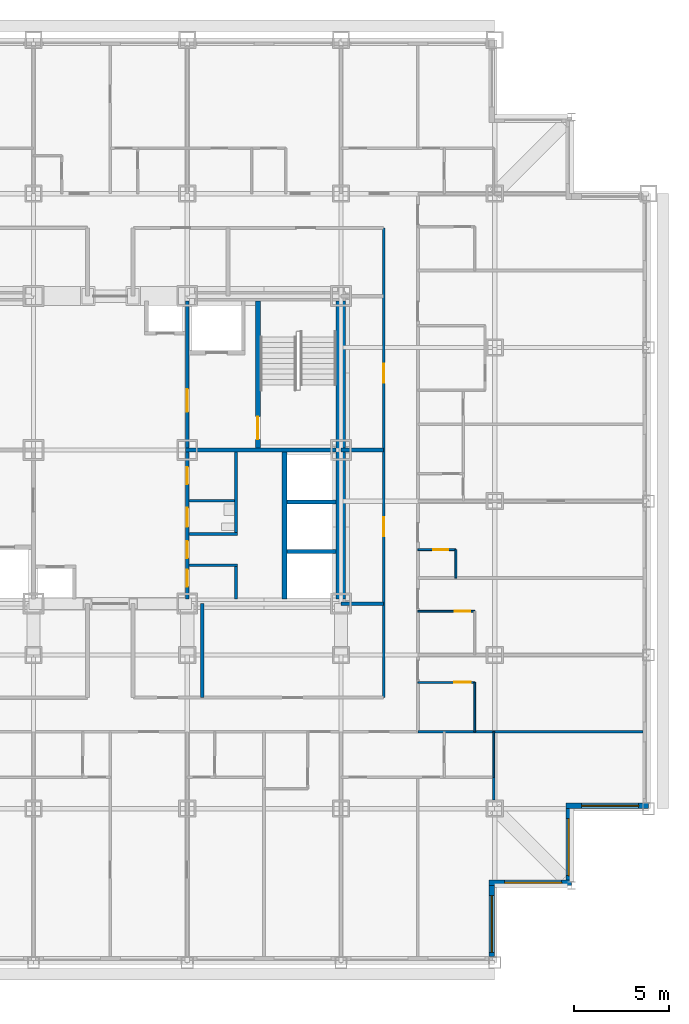
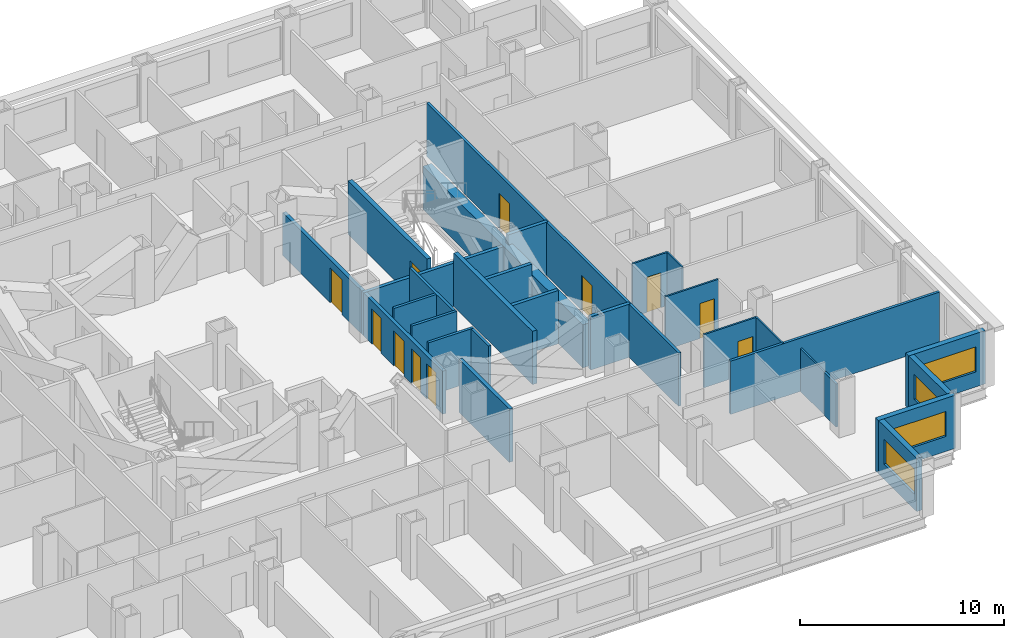
# One storey, part 7 of 13: 29 walls, 11 doors, 4 windows, 15 openings.
"""IFC4 building model written with IfcOpenShell, lengths in metres."""

from ifc_helpers import new_model, si_unit, direction, frame, frame_2d, origin, place, context, subcontext, project, spatial, rectangle, extrude, material, layer, layer_set, type_object, element, fill, save


model = new_model("IFC4")

# Units and contexts
model_context = context("Model", 3, precision=1e-05, world=origin(), true_north=direction((0.0, 1.0)))
body_context = subcontext(model_context, "Body", "Model", "MODEL_VIEW")
ifc_project = project(units=[si_unit("LENGTHUNIT", "METRE"), si_unit("AREAUNIT", "SQUARE_METRE"), si_unit("VOLUMEUNIT", "CUBIC_METRE"), si_unit("PLANEANGLEUNIT", "RADIAN"), si_unit("MASSUNIT", "GRAM", prefix="KILO")], contexts=[model_context])

# Site, building, storey
site_placement = place(None, origin())
site = spatial("IfcSite", under=ifc_project, at=site_placement, CompositionType="ELEMENT")
building_placement = place(site_placement, origin())
building = spatial("IfcBuilding", under=site, at=building_placement, Name="Kopane Lantern Tower", CompositionType="ELEMENT")
storey_placement = place(building_placement, frame((0.0, 0.0, 113.60009765625)))
storey = spatial("IfcBuildingStorey", under=building, at=storey_placement, Name="L28", CompositionType="ELEMENT", Elevation=113.60009765625)

# Walls
ifc_material_1 = material(Name="Gypsum board on steel studs", Category="steel")
ifc_layer_1 = layer(ifc_material_1, 0.1201171875)
ifc_layer_set_1 = layer_set([ifc_layer_1], Name="APARTMENT INTERNAL WALL 120")
wall_type_1 = type_object("IfcWallType", Name="APARTMENT INTERNAL WALL 120", PredefinedType="PARTITIONING", material=ifc_layer_set_1)
wall_1_placement = place(storey_placement, frame((48.550048828125, 15.14990234375, 0.0), z_axis=(0.0, 0.0, 1.0), x_axis=(0.0, -1.0, 0.0)))
element("IfcWall", 1, at=wall_1_placement, inside=storey, type_object=wall_type_1, Name="Apartment Internal Wall 120 L28", PredefinedType="PARTITIONING", context=body_context, shape_type="SweptSolid", body=[
    extrude(rectangle(XDim=1.199951171875, YDim=0.1201171875, at=frame_2d((0.60009765625, 0.0))), origin(), (0.0, 0.0, 1.0), 2.57763671875),
])
ifc_material_2 = material(Name="Moisture-resistant board on steel studs", Category="steel")
ifc_layer_2 = layer(ifc_material_2, 0.10009765625)
ifc_layer_set_2 = layer_set([ifc_layer_2], Name="BATHROOM WALL 100")
wall_type_2 = type_object("IfcWallType", Name="BATHROOM WALL 100", PredefinedType="PARTITIONING", material=ifc_layer_set_2)
wall_2_placement = place(storey_placement, frame((47.550048828125, 17.550048828125, 0.0), z_axis=(0.0, 0.0, 1.0), x_axis=(0.0, 1.0, 0.0)))
element("IfcWall", 2, at=wall_2_placement, inside=storey, type_object=wall_type_2, Name="Bathroom Wall 100 L28", PredefinedType="PARTITIONING", context=body_context, shape_type="SweptSolid", body=[
    extrude(rectangle(XDim=2.599853515625, YDim=0.10009765625, at=frame_2d((1.2998046875, 0.0))), origin(), (0.0, 0.0, 1.0), 3.18994140625),
])

# Wall, opening, door
wall_3_placement = place(storey_placement, frame((44.550048828125, 20.14990234375, 0.0), z_axis=(0.0, 0.0, 1.0), x_axis=(1.0, 0.0, 0.0)))
wall_3 = element("IfcWall", 3, at=wall_3_placement, inside=storey, type_object=wall_type_2, Name="Bathroom Wall 100 L28", PredefinedType="PARTITIONING", context=body_context, shape_type="SweptSolid", body=[
    extrude(rectangle(XDim=3.0, YDim=0.10009765625, at=frame_2d((1.5, 0.0))), origin(), (0.0, 0.0, 1.0), 3.18994140625),
])
opening_1_placement = place(wall_3_placement, frame((1.925048828125, 0.0, 0.0)))
opening_1 = element("IfcOpeningElement", 4, at=opening_1_placement, cuts=wall_3, Name="Opening L28-046", PredefinedType="OPENING", context=body_context, shape_type="SweptSolid", body=[
    extrude(rectangle(XDim=0.85009765625, YDim=2.10009765625, at=frame_2d((0.425048828125, 1.050048828125))), frame((0.0, 0.06005859375, 0.0), z_axis=(0.0, -1.0, 0.0), x_axis=(1.0, 0.0, 0.0)), (0.0, 0.0, 1.0), 0.1201171875),
])
ifc_material_3 = material(Name="Timber door set", Category="wood")
door_type_1 = type_object("IfcDoorType", Name="DOOR D4 850x2100", OperationType="SINGLE_SWING_LEFT", PredefinedType="DOOR", material=ifc_material_3)
door_1_placement = place(opening_1_placement, origin())
door_1 = element("IfcDoor", 5, at=door_1_placement, inside=storey, type_object=door_type_1, Name="Door L28-046", OperationType="SINGLE_SWING_LEFT", OverallHeight=2.10009765625, OverallWidth=0.85009765625, PredefinedType="DOOR", context=body_context, shape_type="SweptSolid", body=[
    extrude(rectangle(XDim=0.85009765625, YDim=2.10009765625, at=frame_2d((0.425048828125, 1.050048828125))), frame((0.0, 0.02490234375, 0.0), z_axis=(0.0, -1.0, 0.0), x_axis=(1.0, 0.0, 0.0)), (0.0, 0.0, 1.0), 0.050048828125),
])
fill(opening_1, door_1)

wall_4_placement = place(storey_placement, frame((44.550048828125, 23.89990234375, 0.0), z_axis=(0.0, 0.0, 1.0), x_axis=(1.0, 0.0, 0.0)))
wall_4 = element("IfcWall", 6, at=wall_4_placement, inside=storey, type_object=wall_type_2, Name="Bathroom Wall 100 L28", PredefinedType="PARTITIONING", context=body_context, shape_type="SweptSolid", body=[
    extrude(rectangle(XDim=3.0, YDim=0.10009765625, at=frame_2d((1.5, 0.0))), origin(), (0.0, 0.0, 1.0), 3.18994140625),
])
opening_2_placement = place(wall_4_placement, frame((1.949951171875, 0.0, 0.0)))
opening_2 = element("IfcOpeningElement", 7, at=opening_2_placement, cuts=wall_4, Name="Opening L28-048", PredefinedType="OPENING", context=body_context, shape_type="SweptSolid", body=[
    extrude(rectangle(XDim=0.800048828125, YDim=2.10009765625, at=frame_2d((0.39990234375, 1.050048828125))), frame((0.0, 0.06005859375, 0.0), z_axis=(0.0, -1.0, 0.0), x_axis=(1.0, 0.0, 0.0)), (0.0, 0.0, 1.0), 0.1201171875),
])
ifc_material_4 = material(Name="Timber door set", Category="wood")
door_type_2 = type_object("IfcDoorType", Name="DOOR D2 800x2100", OperationType="SINGLE_SWING_LEFT", PredefinedType="DOOR", material=ifc_material_4)
door_2_placement = place(opening_2_placement, origin())
door_2 = element("IfcDoor", 8, at=door_2_placement, inside=storey, type_object=door_type_2, Name="Door L28-048", OperationType="SINGLE_SWING_LEFT", OverallHeight=2.10009765625, OverallWidth=0.800048828125, PredefinedType="DOOR", context=body_context, shape_type="SweptSolid", body=[
    extrude(rectangle(XDim=0.800048828125, YDim=2.10009765625, at=frame_2d((0.39990234375, 1.050048828125))), frame((0.0, 0.02490234375, 0.0), z_axis=(0.0, -1.0, 0.0), x_axis=(1.0, 0.0, 0.0)), (0.0, 0.0, 1.0), 0.050048828125),
])
fill(opening_2, door_2)

# Wall
wall_5_placement = place(storey_placement, frame((46.550048828125, 25.64990234375, 0.0), z_axis=(0.0, 0.0, 1.0), x_axis=(0.0, 1.0, 0.0)))
element("IfcWall", 9, at=wall_5_placement, inside=storey, type_object=wall_type_2, Name="Bathroom Wall 100 L28", PredefinedType="PARTITIONING", context=body_context, shape_type="SweptSolid", body=[
    extrude(rectangle(XDim=1.5, YDim=0.10009765625, at=frame_2d((0.75, 0.0))), origin(), (0.0, 0.0, 1.0), 3.18994140625),
])

# Wall, opening, door
wall_6_placement = place(storey_placement, frame((44.550048828125, 27.14990234375, 0.0), z_axis=(0.0, 0.0, 1.0), x_axis=(1.0, 0.0, 0.0)))
wall_6 = element("IfcWall", 10, at=wall_6_placement, inside=storey, type_object=wall_type_2, Name="Bathroom Wall 100 L28", PredefinedType="PARTITIONING", context=body_context, shape_type="SweptSolid", body=[
    extrude(rectangle(XDim=2.0, YDim=0.10009765625, at=frame_2d((1.0, 0.0))), origin(), (0.0, 0.0, 1.0), 3.18994140625),
])
opening_3_placement = place(wall_6_placement, frame((0.800048828125, 0.0, 0.0)))
opening_3 = element("IfcOpeningElement", 11, at=opening_3_placement, cuts=wall_6, Name="Opening L28-050", PredefinedType="OPENING", context=body_context, shape_type="SweptSolid", body=[
    extrude(rectangle(XDim=0.800048828125, YDim=2.10009765625, at=frame_2d((0.39990234375, 1.050048828125))), frame((0.0, 0.06005859375, 0.0), z_axis=(0.0, -1.0, 0.0), x_axis=(1.0, 0.0, 0.0)), (0.0, 0.0, 1.0), 0.1201171875),
])
door_3_placement = place(opening_3_placement, origin())
door_3 = element("IfcDoor", 12, at=door_3_placement, inside=storey, type_object=door_type_2, Name="Door L28-050", OperationType="SINGLE_SWING_LEFT", OverallHeight=2.10009765625, OverallWidth=0.800048828125, PredefinedType="DOOR", context=body_context, shape_type="SweptSolid", body=[
    extrude(rectangle(XDim=0.800048828125, YDim=2.10009765625, at=frame_2d((0.39990234375, 1.050048828125))), frame((0.0, 0.02490234375, 0.0), z_axis=(0.0, -1.0, 0.0), x_axis=(1.0, 0.0, 0.0)), (0.0, 0.0, 1.0), 0.050048828125),
])
fill(opening_3, door_3)

# Walls
wall_7_placement = place(storey_placement, frame((48.550048828125, 17.550048828125, 0.0), z_axis=(0.0, 0.0, 1.0), x_axis=(0.0, -1.0, 0.0)))
element("IfcWall", 13, at=wall_7_placement, inside=storey, type_object=wall_type_2, Name="Bathroom Wall 100 L28", PredefinedType="PARTITIONING", context=body_context, shape_type="SweptSolid", body=[
    extrude(rectangle(XDim=2.400146484375, YDim=0.10009765625, at=frame_2d((1.2001953125, 0.0))), origin(), (0.0, 0.0, 1.0), 2.57763671875),
])
ifc_material_5 = material(Name="Gypsum shaft wall EI 120", Category="gypsum")
ifc_layer_3 = layer(ifc_material_5, 0.5)
ifc_layer_set_3 = layer_set([ifc_layer_3], Name="CORE PERIMETER WALL 500 EI 120")
wall_type_3 = type_object("IfcWallType", Name="CORE PERIMETER WALL 500 EI 120", PredefinedType="SOLIDWALL", material=ifc_layer_set_3)
wall_8_placement = place(storey_placement, frame((40.5, 24.550048828125, 0.0), z_axis=(0.0, 0.0, 1.0), x_axis=(0.0, 1.0, 0.0)))
element("IfcWall", 14, at=wall_8_placement, inside=storey, type_object=wall_type_3, Name="Core shaft wall L28 PE", PredefinedType="SOLIDWALL", context=body_context, shape_type="SweptSolid", body=[
    extrude(rectangle(XDim=15.699951171875, YDim=0.5, at=frame_2d((7.85009765625, 0.0))), origin(), (0.0, 0.0, 1.0), 2.57763671875),
])
ifc_material_6 = material(Name="Gypsum partition EI 60", Category="gypsum")
ifc_layer_4 = layer(ifc_material_6, 0.14990234375)
ifc_layer_set_4 = layer_set([ifc_layer_4], Name="CORE ROOM PARTITION 150 EI 60")
wall_type_4 = type_object("IfcWallType", Name="CORE ROOM PARTITION 150 EI 60", PredefinedType="PARTITIONING", material=ifc_layer_set_4)
for number, where, z_axis, x_axis, name in (
    (15, (32.5, 26.324951171875, 0.0), (0.0, 0.0, 1.0), (1.0, 0.0, 0.0), "Core room partition L28 E1"),
    (16, (32.5, 27.97509765625, 0.0), (0.0, 0.0, 1.0), (1.0, 0.0, 0.0), "Core room partition L28 E2"),
):
    element("IfcWall", number, at=place(storey_placement, frame(where, z_axis=z_axis, x_axis=x_axis)), inside=storey, type_object=wall_type_4, Name=name, PredefinedType="PARTITIONING", context=body_context, shape_type="SweptSolid", body=[
        extrude(rectangle(XDim=2.550048828125, YDim=0.14990234375, at=frame_2d((1.27490234375, 0.0))), origin(), (0.0, 0.0, 1.0), 3.18994140625),
    ])
wall_9_placement = place(storey_placement, frame((32.5, 29.72509765625, 0.0), z_axis=(0.0, 0.0, 1.0), x_axis=(1.0, 0.0, 0.0)))
element("IfcWall", 17, at=wall_9_placement, inside=storey, type_object=wall_type_4, Name="Core room partition L28 E3", PredefinedType="PARTITIONING", context=body_context, shape_type="SweptSolid", body=[
    extrude(rectangle(XDim=2.39990234375, YDim=0.14990234375, at=frame_2d((1.199951171875, 0.0))), origin(), (0.0, 0.0, 1.0), 3.18994140625),
])
wall_10_placement = place(storey_placement, frame((34.97509765625, 24.550048828125, 0.0), z_axis=(0.0, 0.0, 1.0), x_axis=(0.0, 1.0, 0.0)))
element("IfcWall", 18, at=wall_10_placement, inside=storey, type_object=wall_type_4, Name="Core room partition L28 EB0", PredefinedType="PARTITIONING", context=body_context, shape_type="SweptSolid", body=[
    extrude(rectangle(XDim=1.699951171875, YDim=0.14990234375, at=frame_2d((0.85009765625, 0.0))), origin(), (0.0, 0.0, 1.0), 3.18994140625),
])
wall_11_placement = place(storey_placement, frame((34.97509765625, 28.050048828125, 0.0), z_axis=(0.0, 0.0, 1.0), x_axis=(0.0, 1.0, 0.0)))
element("IfcWall", 19, at=wall_11_placement, inside=storey, type_object=wall_type_4, Name="Core room partition L28 EB1", PredefinedType="PARTITIONING", context=body_context, shape_type="SweptSolid", body=[
    extrude(rectangle(XDim=4.25, YDim=0.14990234375, at=frame_2d((2.125, 0.0))), origin(), (0.0, 0.0, 1.0), 3.18994140625),
])

# Wall, openings, doors
ifc_material_7 = material(Name="Gypsum partition EI 60", Category="gypsum")
ifc_layer_5 = layer(ifc_material_7, 0.199951171875)
ifc_layer_set_5 = layer_set([ifc_layer_5], Name="CORE ROOM WALL 200 EI 60")
wall_type_5 = type_object("IfcWallType", Name="CORE ROOM WALL 200 EI 60", PredefinedType="PARTITIONING", material=ifc_layer_set_5)
wall_12_placement = place(storey_placement, frame((32.39990234375, 24.550048828125, 0.0), z_axis=(0.0, 0.0, 1.0), x_axis=(0.0, 1.0, 0.0)))
wall_12 = element("IfcWall", 20, at=wall_12_placement, inside=storey, type_object=wall_type_5, Name="Core room wall L28 XE", PredefinedType="PARTITIONING", context=body_context, shape_type="SweptSolid", body=[
    extrude(rectangle(XDim=7.75, YDim=0.199951171875, at=frame_2d((3.875, 0.0))), origin(), (0.0, 0.0, 1.0), 2.57763671875),
])
opening_4_placement = place(wall_12_placement, frame((0.64990234375, 0.0, 0.0)))
opening_4 = element("IfcOpeningElement", 21, at=opening_4_placement, cuts=wall_12, Name="Opening 28.C20", PredefinedType="OPENING", context=body_context, shape_type="SweptSolid", body=[
    extrude(rectangle(XDim=0.89990234375, YDim=2.10009765625, at=frame_2d((0.449951171875, 1.050048828125))), frame((0.0, 0.10986328125, 0.0), z_axis=(0.0, -1.0, 0.0), x_axis=(1.0, 0.0, 0.0)), (0.0, 0.0, 1.0), 0.219970703125),
])
opening_5_placement = place(wall_12_placement, frame((2.14990234375, 0.0, 0.0)))
opening_5 = element("IfcOpeningElement", 22, at=opening_5_placement, cuts=wall_12, Name="Opening 28.C21", PredefinedType="OPENING", context=body_context, shape_type="SweptSolid", body=[
    extrude(rectangle(XDim=0.89990234375, YDim=2.10009765625, at=frame_2d((0.449951171875, 1.050048828125))), frame((0.0, 0.10986328125, 0.0), z_axis=(0.0, -1.0, 0.0), x_axis=(1.0, 0.0, 0.0)), (0.0, 0.0, 1.0), 0.219970703125),
])
opening_6_placement = place(wall_12_placement, frame((3.800048828125, 0.0, 0.0)))
opening_6 = element("IfcOpeningElement", 23, at=opening_6_placement, cuts=wall_12, Name="Opening 28.C22", PredefinedType="OPENING", context=body_context, shape_type="SweptSolid", body=[
    extrude(rectangle(XDim=1.0, YDim=2.10009765625, at=frame_2d((0.5, 1.050048828125))), frame((0.0, 0.10986328125, 0.0), z_axis=(0.0, -1.0, 0.0), x_axis=(1.0, 0.0, 0.0)), (0.0, 0.0, 1.0), 0.219970703125),
])
opening_7_placement = place(wall_12_placement, frame((6.050048828125, 0.0, 0.0)))
opening_7 = element("IfcOpeningElement", 24, at=opening_7_placement, cuts=wall_12, Name="Opening 28.C23", PredefinedType="OPENING", context=body_context, shape_type="SweptSolid", body=[
    extrude(rectangle(XDim=0.89990234375, YDim=2.10009765625, at=frame_2d((0.449951171875, 1.050048828125))), frame((0.0, 0.10986328125, 0.0), z_axis=(0.0, -1.0, 0.0), x_axis=(1.0, 0.0, 0.0)), (0.0, 0.0, 1.0), 0.219970703125),
])
ifc_material_8 = material(Name="Steel door set", Category="steel")
door_type_3 = type_object("IfcDoorType", Name="CORE ROOM DOOR 1000x2100 FD30S", OperationType="SINGLE_SWING_RIGHT", PredefinedType="DOOR", material=ifc_material_8)
door_4_placement = place(opening_6_placement, origin())
door_4 = element("IfcDoor", 25, at=door_4_placement, inside=storey, type_object=door_type_3, Name="Door Staff WC L28", OperationType="SINGLE_SWING_RIGHT", OverallHeight=2.10009765625, OverallWidth=1.0, PredefinedType="DOOR", context=body_context, shape_type="SweptSolid", body=[
    extrude(rectangle(XDim=1.0, YDim=2.10009765625, at=frame_2d((0.5, 1.050048828125))), frame((0.0, 0.02490234375, 0.0), z_axis=(0.0, -1.0, 0.0), x_axis=(1.0, 0.0, 0.0)), (0.0, 0.0, 1.0), 0.050048828125),
])
fill(opening_6, door_4)
ifc_material_9 = material(Name="Steel door set", Category="steel")
door_type_4 = type_object("IfcDoorType", Name="CORE ROOM DOOR 900x2100 FD60", OperationType="SINGLE_SWING_LEFT", PredefinedType="DOOR", material=ifc_material_9)
door_5_placement = place(opening_4_placement, origin())
door_5 = element("IfcDoor", 26, at=door_5_placement, inside=storey, type_object=door_type_4, Name="Door Cleaner store L28", OperationType="SINGLE_SWING_LEFT", OverallHeight=2.10009765625, OverallWidth=0.89990234375, PredefinedType="DOOR", context=body_context, shape_type="SweptSolid", body=[
    extrude(rectangle(XDim=0.89990234375, YDim=2.10009765625, at=frame_2d((0.449951171875, 1.050048828125))), frame((0.0, 0.02490234375, 0.0), z_axis=(0.0, -1.0, 0.0), x_axis=(1.0, 0.0, 0.0)), (0.0, 0.0, 1.0), 0.050048828125),
])
fill(opening_4, door_5)
door_6_placement = place(opening_5_placement, origin())
door_6 = element("IfcDoor", 27, at=door_6_placement, inside=storey, type_object=door_type_4, Name="Door Housekeeping store L28", OperationType="SINGLE_SWING_LEFT", OverallHeight=2.10009765625, OverallWidth=0.89990234375, PredefinedType="DOOR", context=body_context, shape_type="SweptSolid", body=[
    extrude(rectangle(XDim=0.89990234375, YDim=2.10009765625, at=frame_2d((0.449951171875, 1.050048828125))), frame((0.0, 0.02490234375, 0.0), z_axis=(0.0, -1.0, 0.0), x_axis=(1.0, 0.0, 0.0)), (0.0, 0.0, 1.0), 0.050048828125),
])
fill(opening_5, door_6)
door_7_placement = place(opening_7_placement, origin())
door_7 = element("IfcDoor", 28, at=door_7_placement, inside=storey, type_object=door_type_4, Name="Door IT room L28", OperationType="SINGLE_SWING_LEFT", OverallHeight=2.10009765625, OverallWidth=0.89990234375, PredefinedType="DOOR", context=body_context, shape_type="SweptSolid", body=[
    extrude(rectangle(XDim=0.89990234375, YDim=2.10009765625, at=frame_2d((0.449951171875, 1.050048828125))), frame((0.0, 0.02490234375, 0.0), z_axis=(0.0, -1.0, 0.0), x_axis=(1.0, 0.0, 0.0)), (0.0, 0.0, 1.0), 0.050048828125),
])
fill(opening_7, door_7)

# Wall
ifc_material_10 = material(Name="Gypsum shaft wall EI 120", Category="gypsum")
ifc_layer_6 = layer(ifc_material_10, 0.25)
ifc_layer_set_6 = layer_set([ifc_layer_6], Name="CORE SHAFT WALL 250 EI 120")
wall_type_6 = type_object("IfcWallType", Name="CORE SHAFT WALL 250 EI 120", PredefinedType="SOLIDWALL", material=ifc_layer_set_6)
wall_13_placement = place(storey_placement, frame((37.52490234375, 24.550048828125, 0.0), z_axis=(0.0, 0.0, 1.0), x_axis=(0.0, 1.0, 0.0)))
element("IfcWall", 29, at=wall_13_placement, inside=storey, type_object=wall_type_6, Name="Core shaft wall L28 XLR", PredefinedType="SOLIDWALL", context=body_context, shape_type="SweptSolid", body=[
    extrude(rectangle(XDim=7.75, YDim=0.25, at=frame_2d((3.875, 0.0))), origin(), (0.0, 0.0, 1.0), 3.18994140625),
])

# Wall, opening, door
wall_14_placement = place(storey_placement, frame((36.125, 32.5, 0.0), z_axis=(0.0, 0.0, 1.0), x_axis=(0.0, 1.0, 0.0)))
wall_14 = element("IfcWall", 30, at=wall_14_placement, inside=storey, type_object=wall_type_6, Name="Core shaft wall L28 XST2", PredefinedType="SOLIDWALL", context=body_context, shape_type="SweptSolid", body=[
    extrude(rectangle(XDim=7.75, YDim=0.25, at=frame_2d((3.875, 0.0))), origin(), (0.0, 0.0, 1.0), 3.18994140625),
])
opening_8_placement = place(wall_14_placement, frame((0.449951171875, 0.0, 0.0)))
opening_8 = element("IfcOpeningElement", 31, at=opening_8_placement, cuts=wall_14, Name="Opening 28.SD2", PredefinedType="OPENING", context=body_context, shape_type="SweptSolid", body=[
    extrude(rectangle(XDim=1.199951171875, YDim=2.10009765625, at=frame_2d((0.60009765625, 1.050048828125))), frame((0.0, 0.135009765625, 0.0), z_axis=(0.0, -1.0, 0.0), x_axis=(1.0, 0.0, 0.0)), (0.0, 0.0, 1.0), 0.27001953125),
])
ifc_material_11 = material(Name="Steel door set", Category="steel")
door_type_5 = type_object("IfcDoorType", Name="STAIR DOOR 1200x2100 FD60S", OperationType="SINGLE_SWING_LEFT", PredefinedType="DOOR", material=ifc_material_11)
door_8_placement = place(opening_8_placement, origin())
door_8 = element("IfcDoor", 32, at=door_8_placement, inside=storey, type_object=door_type_5, Name="Stair door ST2 L28", OperationType="SINGLE_SWING_RIGHT", OverallHeight=2.10009765625, OverallWidth=1.199951171875, PredefinedType="DOOR", context=body_context, shape_type="SweptSolid", body=[
    extrude(rectangle(XDim=1.199951171875, YDim=2.10009765625, at=frame_2d((0.60009765625, 1.050048828125))), frame((0.0, 0.02490234375, 0.0), z_axis=(0.0, -1.0, 0.0), x_axis=(1.0, 0.0, 0.0)), (0.0, 0.0, 1.0), 0.050048828125),
])
fill(opening_8, door_8)

# Wall, openings, doors
ifc_material_12 = material(Name="Gypsum board on steel studs", Category="steel")
ifc_layer_7 = layer(ifc_material_12, 0.14990234375)
ifc_layer_set_7 = layer_set([ifc_layer_7], Name="CORRIDOR WALL 150 EI 60")
wall_type_7 = type_object("IfcWallType", Name="CORRIDOR WALL 150 EI 60", PredefinedType="PARTITIONING", material=ifc_layer_set_7)
wall_15_placement = place(storey_placement, frame((42.75, 19.35009765625, 0.0), z_axis=(0.0, 0.0, 1.0), x_axis=(0.0, 1.0, 0.0)))
wall_15 = element("IfcWall", 33, at=wall_15_placement, inside=storey, type_object=wall_type_7, Name="Corridor Wall 150 Ei 60 L28", PredefinedType="PARTITIONING", context=body_context, shape_type="SweptSolid", body=[
    extrude(rectangle(XDim=24.75, YDim=0.14990234375, at=frame_2d((12.375, 0.0))), origin(), (0.0, 0.0, 1.0), 3.18994140625),
])
opening_9_placement = place(wall_15_placement, frame((8.5, 0.0, 0.0)))
opening_9 = element("IfcOpeningElement", 34, at=opening_9_placement, cuts=wall_15, Name="Opening L28-003", PredefinedType="OPENING", context=body_context, shape_type="SweptSolid", body=[
    extrude(rectangle(XDim=1.0, YDim=2.10009765625, at=frame_2d((0.5, 1.050048828125))), frame((0.0, 0.0849609375, 0.0), z_axis=(0.0, -1.0, 0.0), x_axis=(1.0, 0.0, 0.0)), (0.0, 0.0, 1.0), 0.169921875),
])
opening_10_placement = place(wall_15_placement, frame((16.60009765625, 0.0, 0.0)))
opening_10 = element("IfcOpeningElement", 35, at=opening_10_placement, cuts=wall_15, Name="Opening L28-004", PredefinedType="OPENING", context=body_context, shape_type="SweptSolid", body=[
    extrude(rectangle(XDim=1.0, YDim=2.10009765625, at=frame_2d((0.5, 1.050048828125))), frame((0.0, 0.0849609375, 0.0), z_axis=(0.0, -1.0, 0.0), x_axis=(1.0, 0.0, 0.0)), (0.0, 0.0, 1.0), 0.169921875),
])
ifc_material_13 = material(Name="Steel door set", Category="steel")
door_type_6 = type_object("IfcDoorType", Name="DOOR D5 1000x2100 FD60", OperationType="SINGLE_SWING_LEFT", PredefinedType="DOOR", material=ifc_material_13)
door_9_placement = place(opening_9_placement, origin())
door_9 = element("IfcDoor", 36, at=door_9_placement, inside=storey, type_object=door_type_6, Name="Door L28-003", OperationType="SINGLE_SWING_LEFT", OverallHeight=2.10009765625, OverallWidth=1.0, PredefinedType="DOOR", context=body_context, shape_type="SweptSolid", body=[
    extrude(rectangle(XDim=1.0, YDim=2.10009765625, at=frame_2d((0.5, 1.050048828125))), frame((0.0, 0.02490234375, 0.0), z_axis=(0.0, -1.0, 0.0), x_axis=(1.0, 0.0, 0.0)), (0.0, 0.0, 1.0), 0.050048828125),
])
fill(opening_9, door_9)
door_10_placement = place(opening_10_placement, origin())
door_10 = element("IfcDoor", 37, at=door_10_placement, inside=storey, type_object=door_type_6, Name="Door L28-004", OperationType="SINGLE_SWING_RIGHT", OverallHeight=2.10009765625, OverallWidth=1.0, PredefinedType="DOOR", context=body_context, shape_type="SweptSolid", body=[
    extrude(rectangle(XDim=1.0, YDim=2.10009765625, at=frame_2d((0.5, 1.050048828125))), frame((0.0, 0.02490234375, 0.0), z_axis=(0.0, -1.0, 0.0), x_axis=(1.0, 0.0, 0.0)), (0.0, 0.0, 1.0), 0.050048828125),
])
fill(opening_10, door_10)

# Wall
ifc_material_14 = material(Name="Gypsum board on steel studs", Category="steel")
ifc_layer_8 = layer(ifc_material_14, 0.14990234375)
ifc_layer_set_8 = layer_set([ifc_layer_8], Name="DEMISING WALL 150 EI 60")
wall_type_8 = type_object("IfcWallType", Name="DEMISING WALL 150 EI 60", PredefinedType="PARTITIONING", material=ifc_layer_set_8)
wall_16_placement = place(storey_placement, frame((44.550048828125, 17.550048828125, 0.0), z_axis=(0.0, 0.0, 1.0), x_axis=(1.0, 0.0, 0.0)))
element("IfcWall", 38, at=wall_16_placement, inside=storey, type_object=wall_type_8, Name="Demising Wall 150 Ei 60 L28", PredefinedType="PARTITIONING", context=body_context, shape_type="SweptSolid", body=[
    extrude(rectangle(XDim=11.849853515625, YDim=0.14990234375, at=frame_2d((5.9248046875, 0.0))), origin(), (0.0, 0.0, 1.0), 3.18994140625),
])

# Wall, opening, window
ifc_material_15 = material(Name="Terracotta rainscreen on light steel framing", Category="masonry")
ifc_layer_9 = layer(ifc_material_15, 0.300048828125)
ifc_layer_set_9 = layer_set([ifc_layer_9], Name="EXTERNAL WALL EW1 300 TERRACOTTA")
wall_type_9 = type_object("IfcWallType", Name="EXTERNAL WALL EW1 300 TERRACOTTA", PredefinedType="SOLIDWALL", material=ifc_layer_set_9)
wall_17_placement = place(storey_placement, frame((48.449951171875, 5.699951171875, 0.0), z_axis=(0.0, 0.0, 1.0), x_axis=(0.0, 1.0, 0.0)))
wall_17 = element("IfcWall", 39, at=wall_17_placement, inside=storey, type_object=wall_type_9, Name="External wall E L28", PredefinedType="SOLIDWALL", context=body_context, shape_type="SweptSolid", body=[
    extrude(rectangle(XDim=3.75, YDim=0.300048828125, at=frame_2d((1.875, 0.0))), origin(), (0.0, 0.0, 1.0), 3.18994140625),
])
opening_11_placement = place(wall_17_placement, frame((0.22509765625, 0.0, 0.89990234375)))
opening_11 = element("IfcOpeningElement", 40, at=opening_11_placement, cuts=wall_17, Name="Opening WR300150", PredefinedType="OPENING", context=body_context, shape_type="SweptSolid", body=[
    extrude(rectangle(XDim=3.0, YDim=1.5, at=frame_2d((1.5, 0.75))), frame((0.0, 0.159912109375, 0.0), z_axis=(0.0, -1.0, 0.0), x_axis=(1.0, 0.0, 0.0)), (0.0, 0.0, 1.0), 0.320068359375),
])
ifc_material_16 = material(Name="Aluminium and clear glass", Category="aluminium")
window_type = type_object("IfcWindowType", Name="RIBBON WINDOW WR300150 3000x1500", PartitioningType="SINGLE_PANEL", PredefinedType="WINDOW", material=ifc_material_16)
window_1_placement = place(opening_11_placement, origin())
window_1 = element("IfcWindow", 41, at=window_1_placement, inside=storey, type_object=window_type, Name="Window E L28", OverallHeight=1.5, OverallWidth=3.0, PartitioningType="SINGLE_PANEL", PredefinedType="WINDOW", context=body_context, shape_type="SweptSolid", body=[
    extrude(rectangle(XDim=3.0, YDim=1.5, at=frame_2d((1.5, 0.75))), frame((0.0, 0.030029296875, 0.0), z_axis=(0.0, -1.0, 0.0), x_axis=(1.0, 0.0, 0.0)), (0.0, 0.0, 1.0), 0.06005859375),
])
fill(opening_11, window_1)

wall_18_placement = place(storey_placement, frame((48.300048828125, 9.60009765625, 0.0), z_axis=(0.0, 0.0, 1.0), x_axis=(1.0, 0.0, 0.0)))
wall_18 = element("IfcWall", 42, at=wall_18_placement, inside=storey, type_object=wall_type_9, Name="External wall S L28", PredefinedType="SOLIDWALL", context=body_context, shape_type="SweptSolid", body=[
    extrude(rectangle(XDim=4.349853515625, YDim=0.300048828125, at=frame_2d((2.1748046875, 0.0))), origin(), (0.0, 0.0, 1.0), 3.18994140625),
])
opening_12_placement = place(wall_18_placement, frame((0.824951171875, 0.0, 0.89990234375)))
opening_12 = element("IfcOpeningElement", 43, at=opening_12_placement, cuts=wall_18, Name="Opening WR300150", PredefinedType="OPENING", context=body_context, shape_type="SweptSolid", body=[
    extrude(rectangle(XDim=3.0, YDim=1.5, at=frame_2d((1.5, 0.75))), frame((0.0, 0.159912109375, 0.0), z_axis=(0.0, -1.0, 0.0), x_axis=(1.0, 0.0, 0.0)), (0.0, 0.0, 1.0), 0.320068359375),
])
window_2_placement = place(opening_12_placement, origin())
window_2 = element("IfcWindow", 44, at=window_2_placement, inside=storey, type_object=window_type, Name="Window S L28", OverallHeight=1.5, OverallWidth=3.0, PartitioningType="SINGLE_PANEL", PredefinedType="WINDOW", context=body_context, shape_type="SweptSolid", body=[
    extrude(rectangle(XDim=3.0, YDim=1.5, at=frame_2d((1.5, 0.75))), frame((0.0, 0.030029296875, 0.0), z_axis=(0.0, -1.0, 0.0), x_axis=(1.0, 0.0, 0.0)), (0.0, 0.0, 1.0), 0.06005859375),
])
fill(opening_12, window_2)

wall_19_placement = place(storey_placement, frame((52.5, 9.75, 0.0), z_axis=(0.0, 0.0, 1.0), x_axis=(0.0, 1.0, 0.0)))
wall_19 = element("IfcWall", 45, at=wall_19_placement, inside=storey, type_object=wall_type_9, Name="External wall E L28", PredefinedType="SOLIDWALL", context=body_context, shape_type="SweptSolid", body=[
    extrude(rectangle(XDim=3.75, YDim=0.300048828125, at=frame_2d((1.875, 0.0))), origin(), (0.0, 0.0, 1.0), 3.18994140625),
])
opening_13_placement = place(wall_19_placement, frame((0.22509765625, 0.0, 0.89990234375)))
opening_13 = element("IfcOpeningElement", 46, at=opening_13_placement, cuts=wall_19, Name="Opening WR300150", PredefinedType="OPENING", context=body_context, shape_type="SweptSolid", body=[
    extrude(rectangle(XDim=3.0, YDim=1.5, at=frame_2d((1.5, 0.75))), frame((0.0, 0.159912109375, 0.0), z_axis=(0.0, -1.0, 0.0), x_axis=(1.0, 0.0, 0.0)), (0.0, 0.0, 1.0), 0.320068359375),
])
window_3_placement = place(opening_13_placement, origin())
window_3 = element("IfcWindow", 47, at=window_3_placement, inside=storey, type_object=window_type, Name="Window E L28", OverallHeight=1.5, OverallWidth=3.0, PartitioningType="SINGLE_PANEL", PredefinedType="WINDOW", context=body_context, shape_type="SweptSolid", body=[
    extrude(rectangle(XDim=3.0, YDim=1.5, at=frame_2d((1.5, 0.75))), frame((0.0, 0.030029296875, 0.0), z_axis=(0.0, -1.0, 0.0), x_axis=(1.0, 0.0, 0.0)), (0.0, 0.0, 1.0), 0.06005859375),
])
fill(opening_13, window_3)

wall_20_placement = place(storey_placement, frame((52.35009765625, 13.64990234375, 0.0), z_axis=(0.0, 0.0, 1.0), x_axis=(1.0, 0.0, 0.0)))
wall_20 = element("IfcWall", 48, at=wall_20_placement, inside=storey, type_object=wall_type_9, Name="External wall S L28", PredefinedType="SOLIDWALL", context=body_context, shape_type="SweptSolid", body=[
    extrude(rectangle(XDim=4.349853515625, YDim=0.300048828125, at=frame_2d((2.1748046875, 0.0))), origin(), (0.0, 0.0, 1.0), 3.18994140625),
])
opening_14_placement = place(wall_20_placement, frame((0.824951171875, 0.0, 0.89990234375)))
opening_14 = element("IfcOpeningElement", 49, at=opening_14_placement, cuts=wall_20, Name="Opening WR300150", PredefinedType="OPENING", context=body_context, shape_type="SweptSolid", body=[
    extrude(rectangle(XDim=3.0, YDim=1.5, at=frame_2d((1.5, 0.75))), frame((0.0, 0.159912109375, 0.0), z_axis=(0.0, -1.0, 0.0), x_axis=(1.0, 0.0, 0.0)), (0.0, 0.0, 1.0), 0.320068359375),
])
window_4_placement = place(opening_14_placement, origin())
window_4 = element("IfcWindow", 50, at=window_4_placement, inside=storey, type_object=window_type, Name="Window S L28", OverallHeight=1.5, OverallWidth=3.0, PartitioningType="SINGLE_PANEL", PredefinedType="WINDOW", context=body_context, shape_type="SweptSolid", body=[
    extrude(rectangle(XDim=3.0, YDim=1.5, at=frame_2d((1.5, 0.75))), frame((0.0, 0.030029296875, 0.0), z_axis=(0.0, -1.0, 0.0), x_axis=(1.0, 0.0, 0.0)), (0.0, 0.0, 1.0), 0.06005859375),
])
fill(opening_14, window_4)

# Walls
ifc_material_17 = material(Name="Concrete masonry", Category="masonry")
ifc_layer_10 = layer(ifc_material_17, 0.199951171875)
ifc_layer_set_10 = layer_set([ifc_layer_10], Name="PLANT ROOM WALL 200 EI 120")
wall_type_10 = type_object("IfcWallType", Name="PLANT ROOM WALL 200 EI 120", PredefinedType="SOLIDWALL", material=ifc_layer_set_10)
wall_21_placement = place(storey_placement, frame((40.5, 32.39990234375, 0.0), z_axis=(0.0, 0.0, 1.0), x_axis=(1.0, 0.0, 0.0)))
element("IfcWall", 51, at=wall_21_placement, inside=storey, type_object=wall_type_10, Name="Plant Room Wall 200 Ei 120 L28", PredefinedType="SOLIDWALL", context=body_context, shape_type="SweptSolid", body=[
    extrude(rectangle(XDim=2.25, YDim=0.199951171875, at=frame_2d((1.125, 0.0))), origin(), (0.0, 0.0, 1.0), 3.18994140625),
])
wall_22_placement = place(storey_placement, frame((33.186279296875, 19.35009765625, 0.0), z_axis=(0.0, 0.0, 1.0), x_axis=(0.0, 1.0, 0.0)))
element("IfcWall", 52, at=wall_22_placement, inside=storey, type_object=wall_type_10, Name="Plant Room Wall 200 Ei 120 L28", PredefinedType="SOLIDWALL", context=body_context, shape_type="SweptSolid", body=[
    extrude(rectangle(XDim=4.949951171875, YDim=0.199951171875, at=frame_2d((2.47509765625, 0.0))), origin(), (0.0, 0.0, 1.0), 3.18994140625),
])
wall_23_placement = place(storey_placement, frame((40.5, 24.300048828125, 0.0), z_axis=(0.0, 0.0, 1.0), x_axis=(1.0, 0.0, 0.0)))
element("IfcWall", 53, at=wall_23_placement, inside=storey, type_object=wall_type_10, Name="Plant Room Wall 200 Ei 120 L28", PredefinedType="SOLIDWALL", context=body_context, shape_type="SweptSolid", body=[
    extrude(rectangle(XDim=2.25, YDim=0.199951171875, at=frame_2d((1.125, 0.0))), origin(), (0.0, 0.0, 1.0), 3.18994140625),
])
ifc_material_18 = material(Name="Gypsum shaft wall EI 120", Category="gypsum")
ifc_layer_11 = layer(ifc_material_18, 0.199951171875)
ifc_layer_set_11 = layer_set([ifc_layer_11], Name="SHAFT WALL 200 EI 120")
wall_type_11 = type_object("IfcWallType", Name="SHAFT WALL 200 EI 120", PredefinedType="SOLIDWALL", material=ifc_layer_set_11)
wall_24_placement = place(storey_placement, frame((32.300048828125, 32.39990234375, 0.0), z_axis=(0.0, 0.0, 1.0), x_axis=(1.0, 0.0, 0.0)))
element("IfcWall", 54, at=wall_24_placement, inside=storey, type_object=wall_type_11, Name="Core shaft wall L28 Y324E", PredefinedType="SOLIDWALL", context=body_context, shape_type="SweptSolid", body=[
    extrude(rectangle(XDim=7.949951171875, YDim=0.199951171875, at=frame_2d((3.97509765625, 0.0))), origin(), (0.0, 0.0, 1.0), 2.57763671875),
])

# Wall, opening, door
wall_25_placement = place(storey_placement, frame((32.39990234375, 32.5, 0.0), z_axis=(0.0, 0.0, 1.0), x_axis=(0.0, 1.0, 0.0)))
wall_25 = element("IfcWall", 55, at=wall_25_placement, inside=storey, type_object=wall_type_11, Name="Core shaft wall L28 X324", PredefinedType="SOLIDWALL", context=body_context, shape_type="SweptSolid", body=[
    extrude(rectangle(XDim=7.75, YDim=0.199951171875, at=frame_2d((3.875, 0.0))), origin(), (0.0, 0.0, 1.0), 2.57763671875),
])
opening_15_placement = place(wall_25_placement, frame((1.89990234375, 0.0, 0.0)))
opening_15 = element("IfcOpeningElement", 56, at=opening_15_placement, cuts=wall_25, Name="Opening 28.FL2", PredefinedType="OPENING", context=body_context, shape_type="SweptSolid", body=[
    extrude(rectangle(XDim=1.199951171875, YDim=2.10009765625, at=frame_2d((0.60009765625, 1.050048828125))), frame((0.0, 0.10986328125, 0.0), z_axis=(0.0, -1.0, 0.0), x_axis=(1.0, 0.0, 0.0)), (0.0, 0.0, 1.0), 0.219970703125),
])
ifc_material_19 = material(Name="Steel door set", Category="steel")
door_type_7 = type_object("IfcDoorType", Name="FIREFIGHTING LOBBY DOOR 1200x2100 FD60S", OperationType="SINGLE_SWING_RIGHT", PredefinedType="DOOR", material=ifc_material_19)
door_11_placement = place(opening_15_placement, origin())
door_11 = element("IfcDoor", 57, at=door_11_placement, inside=storey, type_object=door_type_7, Name="Firefighting lobby door FL2 L28", OperationType="SINGLE_SWING_LEFT", OverallHeight=2.10009765625, OverallWidth=1.199951171875, PredefinedType="DOOR", context=body_context, shape_type="SweptSolid", body=[
    extrude(rectangle(XDim=1.199951171875, YDim=2.10009765625, at=frame_2d((0.60009765625, 1.050048828125))), frame((0.0, 0.02490234375, 0.0), z_axis=(0.0, -1.0, 0.0), x_axis=(1.0, 0.0, 0.0)), (0.0, 0.0, 1.0), 0.050048828125),
])
fill(opening_15, door_11)

# Walls
for number, where, z_axis, x_axis, name in (
    (58, (37.64990234375, 27.050048828125, 0.0), (0.0, 0.0, 1.0), (1.0, 0.0, 0.0), "Core shaft wall L28 YLR12"),
    (59, (37.64990234375, 29.64990234375, 0.0), (0.0, 0.0, 1.0), (1.0, 0.0, 0.0), "Core shaft wall L28 YLR23"),
):
    element("IfcWall", number, at=place(storey_placement, frame(where, z_axis=z_axis, x_axis=x_axis)), inside=storey, type_object=wall_type_11, Name=name, PredefinedType="SOLIDWALL", context=body_context, shape_type="SweptSolid", body=[
        extrude(rectangle(XDim=2.60009765625, YDim=0.199951171875, at=frame_2d((1.300048828125, 0.0))), origin(), (0.0, 0.0, 1.0), 3.18994140625),
    ])

save(model, "model.ifc")
